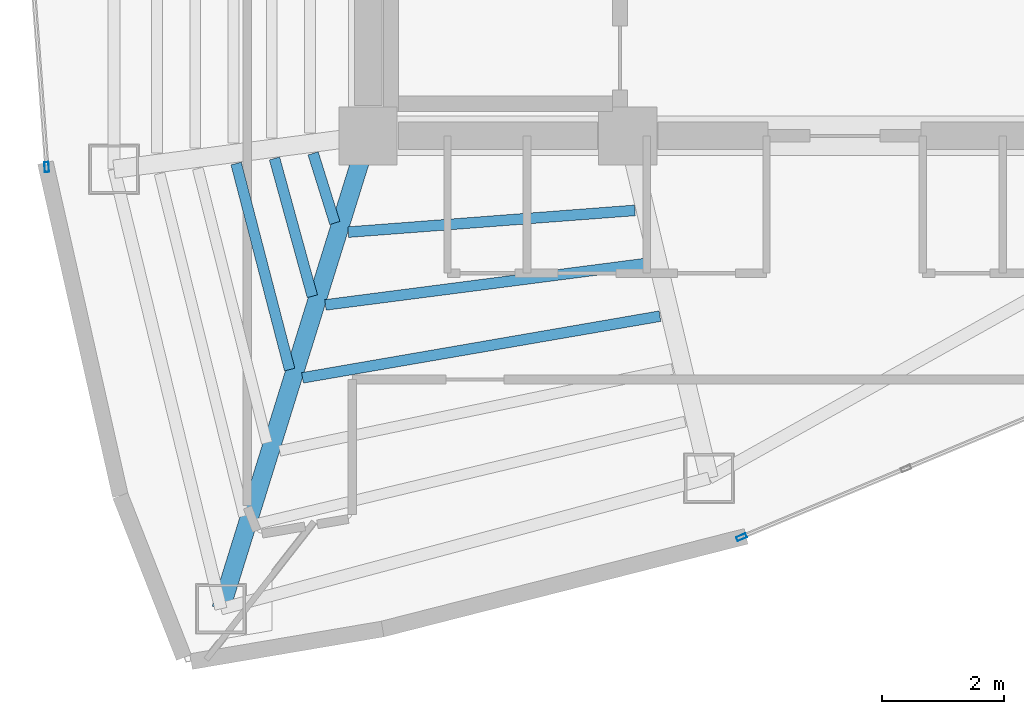
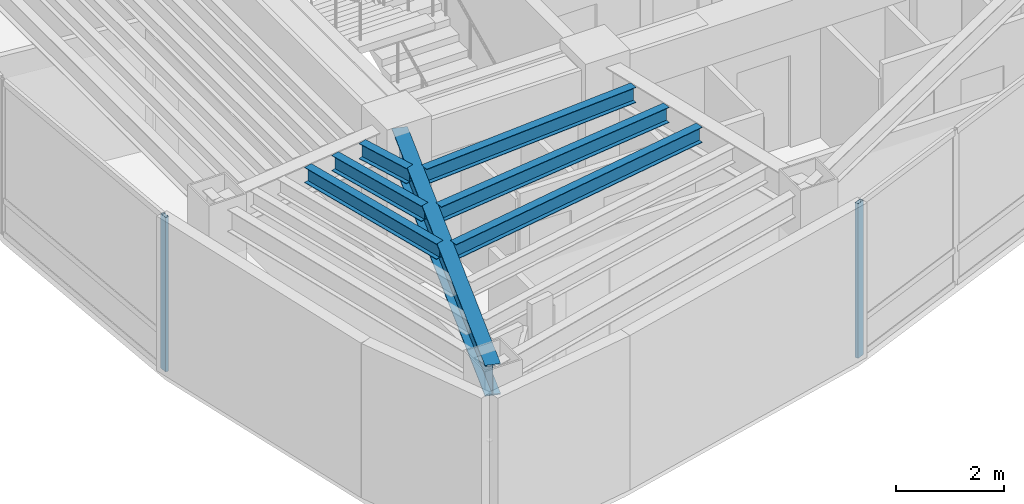
# One storey, part 2 of 15: 7 beams, 2 members, 2 elements without a shape of their own.
"""IFC4 building model written with IfcOpenShell, lengths in metres."""

from ifc_helpers import new_model, si_unit, direction, frame, origin, origin_2d, place, context, subcontext, project, spatial, hollow_rectangle, i_section, extrude, material, layer, layer_set, material_profile, profile_set, type_object, element, aggregate, save


model = new_model("IFC4")

# Units and contexts
model_context = context("Model", 3, precision=1e-05, world=origin(), true_north=direction((0.0, 1.0)))
body_context = subcontext(model_context, "Body", "Model", "MODEL_VIEW")
ifc_project = project(units=[si_unit("LENGTHUNIT", "METRE"), si_unit("AREAUNIT", "SQUARE_METRE"), si_unit("VOLUMEUNIT", "CUBIC_METRE"), si_unit("PLANEANGLEUNIT", "RADIAN"), si_unit("MASSUNIT", "GRAM", prefix="KILO")], contexts=[model_context])

# Site, building, storey
site_placement = place(None, origin())
site = spatial("IfcSite", under=ifc_project, at=site_placement, CompositionType="ELEMENT")
building_placement = place(site_placement, origin())
building = spatial("IfcBuilding", under=site, at=building_placement, Name="Menara Vayukalpa", CompositionType="ELEMENT")
storey_placement = place(building_placement, frame((0.0, 0.0, 254.580078125)))
storey = spatial("IfcBuildingStorey", under=building, at=storey_placement, Name="L64", CompositionType="ELEMENT", Elevation=254.580078125)

# Beams
ifc_material_1 = material(Name="Steel S355", Category="steel")
ifc_material_profile_1 = material_profile(ifc_material_1, i_section(OverallWidth=0.300048828125, OverallDepth=0.699951171875, WebThickness=0.012939453125, FlangeThickness=0.02392578125, at=origin_2d()), Name="WF 700x300x13x24")
ifc_profile_set_1 = profile_set([ifc_material_profile_1], Name="Steel S355")
beam_type_1 = type_object("IfcBeamType", Name="BM-PG5", PredefinedType="BEAM", material=ifc_profile_set_1)
beam_1_placement = place(storey_placement, frame((17.7255859375, 16.961181640625, 3.14990234375), z_axis=(-0.297213792842, -0.954810955815, 0.0), x_axis=(0.954810955815, -0.297213792842, 0.0)))
element("IfcBeam", 1, at=beam_1_placement, inside=storey, type_object=beam_type_1, Name="L64 Primary Radial Girder RG07", PredefinedType="BEAM", context=body_context, shape_type="SweptSolid", body=[
    extrude(i_section(OverallWidth=0.300048828125, OverallDepth=0.699951171875, WebThickness=0.012939453125, FlangeThickness=0.02392578125, at=origin_2d()), origin(), (0.0, 0.0, 1.0), 7.861083984375),
])
ifc_material_2 = material(Name="Steel S355", Category="steel")
ifc_material_profile_2 = material_profile(ifc_material_2, i_section(OverallWidth=0.175048828125, OverallDepth=0.35009765625, WebThickness=0.007080078125, FlangeThickness=0.010986328125, at=origin_2d()), Name="WF 350x175x7x11")
ifc_profile_set_2 = profile_set([ifc_material_profile_2], Name="Steel S355")
beam_type_2 = type_object("IfcBeamType", Name="BM-SJ3", PredefinedType="JOIST", material=ifc_profile_set_2)
beam_2_placement = place(storey_placement, frame((16.8984375, 16.91259765625, 3.324951171875), z_axis=(0.298018933644, -0.954559958929, 0.0), x_axis=(0.954559958929, 0.298018933644, 0.0)))
element("IfcBeam", 2, at=beam_2_placement, inside=storey, type_object=beam_type_2, Name="L64 Secondary Floor Joist SJ06-1", PredefinedType="JOIST", context=body_context, shape_type="SweptSolid", body=[
    extrude(i_section(OverallWidth=0.175048828125, OverallDepth=0.35009765625, WebThickness=0.007080078125, FlangeThickness=0.010986328125, at=origin_2d()), origin(), (0.0, 0.0, 1.0), 1.1943359375),
])
beam_3_placement = place(storey_placement, frame((16.2666015625, 16.82861328125, 3.324951171875), z_axis=(0.264918721837, -0.9642707456, 0.0), x_axis=(0.9642707456, 0.264918721837, 0.0)))
element("IfcBeam", 3, at=beam_3_placement, inside=storey, type_object=beam_type_2, Name="L64 Secondary Floor Joist SJ06-2", PredefinedType="JOIST", context=body_context, shape_type="SweptSolid", body=[
    extrude(i_section(OverallWidth=0.175048828125, OverallDepth=0.35009765625, WebThickness=0.007080078125, FlangeThickness=0.010986328125, at=origin_2d()), origin(), (0.0, 0.0, 1.0), 2.3388671875),
])
beam_4_placement = place(storey_placement, frame((15.63818359375, 16.745849609375, 3.324951171875), z_axis=(0.251492114719, -0.96785934734, 0.0), x_axis=(0.96785934734, 0.251492114719, 0.0)))
element("IfcBeam", 4, at=beam_4_placement, inside=storey, type_object=beam_type_2, Name="L64 Secondary Floor Joist SJ06-3", PredefinedType="JOIST", context=body_context, shape_type="SweptSolid", body=[
    extrude(i_section(OverallWidth=0.175048828125, OverallDepth=0.35009765625, WebThickness=0.007080078125, FlangeThickness=0.010986328125, at=origin_2d()), origin(), (0.0, 0.0, 1.0), 3.485107421875),
])
beam_5_placement = place(storey_placement, frame((17.474609375, 15.623046875, 3.324951171875), z_axis=(0.997135697669, 0.075633328852, 0.0), x_axis=(-0.075633328852, 0.997135697669, 0.0)))
element("IfcBeam", 5, at=beam_5_placement, inside=storey, type_object=beam_type_2, Name="L64 Secondary Floor Joist SJ07-1", PredefinedType="JOIST", context=body_context, shape_type="SweptSolid", body=[
    extrude(i_section(OverallWidth=0.175048828125, OverallDepth=0.35009765625, WebThickness=0.007080078125, FlangeThickness=0.010986328125, at=origin_2d()), origin(), (0.0, 0.0, 1.0), 4.706298828125),
])
beam_6_placement = place(storey_placement, frame((17.099853515625, 14.43115234375, 3.324951171875), z_axis=(0.991763759233, 0.128080622546, 0.0), x_axis=(-0.128080622546, 0.991763759233, 0.0)))
element("IfcBeam", 6, at=beam_6_placement, inside=storey, type_object=beam_type_2, Name="L64 Secondary Floor Joist SJ07-2", PredefinedType="JOIST", context=body_context, shape_type="SweptSolid", body=[
    extrude(i_section(OverallWidth=0.175048828125, OverallDepth=0.35009765625, WebThickness=0.007080078125, FlangeThickness=0.010986328125, at=origin_2d()), origin(), (0.0, 0.0, 1.0), 5.316162109375),
])
beam_7_placement = place(storey_placement, frame((16.724853515625, 13.2373046875, 3.324951171875), z_axis=(0.985440172071, 0.170022549294, 0.0), x_axis=(-0.170022549294, 0.985440172071, 0.0)))
element("IfcBeam", 7, at=beam_7_placement, inside=storey, type_object=beam_type_2, Name="L64 Secondary Floor Joist SJ07-3", PredefinedType="JOIST", context=body_context, shape_type="SweptSolid", body=[
    extrude(i_section(OverallWidth=0.175048828125, OverallDepth=0.35009765625, WebThickness=0.007080078125, FlangeThickness=0.010986328125, at=origin_2d()), origin(), (0.0, 0.0, 1.0), 5.93896484375),
])

# Curtain wall, member
ifc_material_3 = material(Name="Anodised Terracotta Aluminium Alloy 6063-T6", Category="masonry")
ifc_layer = layer(ifc_material_3, 0.1650390625)
ifc_layer_set = layer_set([ifc_layer], Name="Anodised Terracotta Aluminium Alloy 6063-T6")
curtain_wall_type = type_object("IfcCurtainWallType", Name="CW-CW6", PredefinedType="USERDEFINED", material=ifc_layer_set)
curtain_wall_1_placement = place(storey_placement, origin())
curtain_wall_1 = element("IfcCurtainWall", 8, at=curtain_wall_1_placement, inside=storey, type_object=curtain_wall_type, Name="L64 Observation and Executive Curtain Wall CW6 11", ObjectType="UNITISED", PredefinedType="USERDEFINED")
ifc_material_4 = material(Name="Anodised Terracotta Aluminium Alloy 6063-T6", Category="masonry")
ifc_material_profile_3 = material_profile(ifc_material_4, hollow_rectangle(XDim=0.070068359375, YDim=0.1650390625, WallThickness=0.00390625, at=origin_2d()), Name="ALU 70x165x4")
ifc_profile_set_3 = profile_set([ifc_material_profile_3], Name="Anodised Terracotta Aluminium Alloy 6063-T6")
member_type = type_object("IfcMemberType", Name="CWM-CW6", PredefinedType="MULLION", material=ifc_profile_set_3)
member_1_placement = place(storey_placement, frame((12.536376953125, 16.688232421875, 0.0), z_axis=(0.0, 0.0, 1.0), x_axis=(0.997199344663, 0.074789484574, 0.0)))
member_1 = element("IfcMember", 9, at=member_1_placement, type_object=member_type, Name="CW6 mullion 2", PredefinedType="MULLION", context=body_context, shape_type="SweptSolid", body=[
    extrude(hollow_rectangle(XDim=0.070068359375, YDim=0.1650390625, WallThickness=0.00390625, at=origin_2d()), origin(), (0.0, 0.0, 1.0), 3.5),
])
aggregate(curtain_wall_1, [member_1])

curtain_wall_2_placement = place(storey_placement, origin())
curtain_wall_2 = element("IfcCurtainWall", 10, at=curtain_wall_2_placement, inside=storey, type_object=curtain_wall_type, Name="L64 Observation and Executive Curtain Wall CW6 16", ObjectType="UNITISED", PredefinedType="USERDEFINED")
member_2_placement = place(storey_placement, frame((23.913330078125, 10.62841796875, 0.0), z_axis=(0.0, 0.0, 1.0), x_axis=(-0.385899911703, 0.922540653927, 0.0)))
member_2 = element("IfcMember", 11, at=member_2_placement, type_object=member_type, Name="CW6 mullion 1", PredefinedType="MULLION", context=body_context, shape_type="SweptSolid", body=[
    extrude(hollow_rectangle(XDim=0.070068359375, YDim=0.1650390625, WallThickness=0.00390625, at=origin_2d()), origin(), (0.0, 0.0, 1.0), 3.5),
])
aggregate(curtain_wall_2, [member_2])

save(model, "model.ifc")
